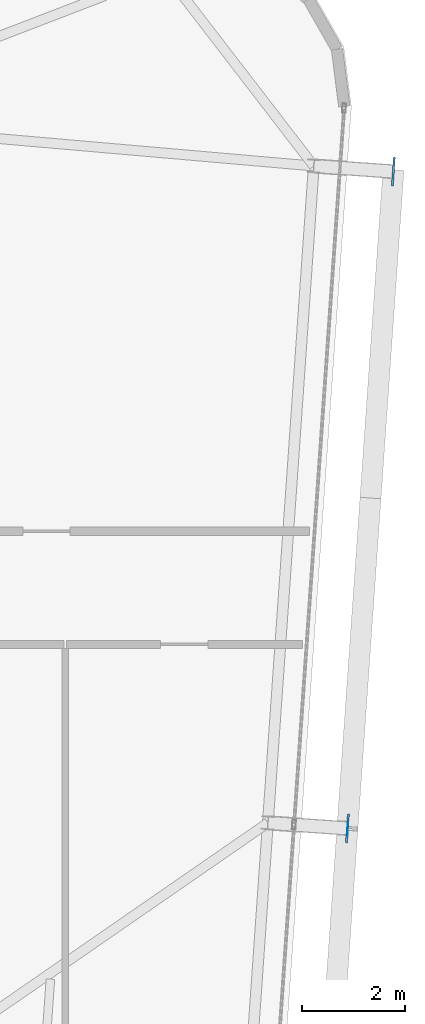
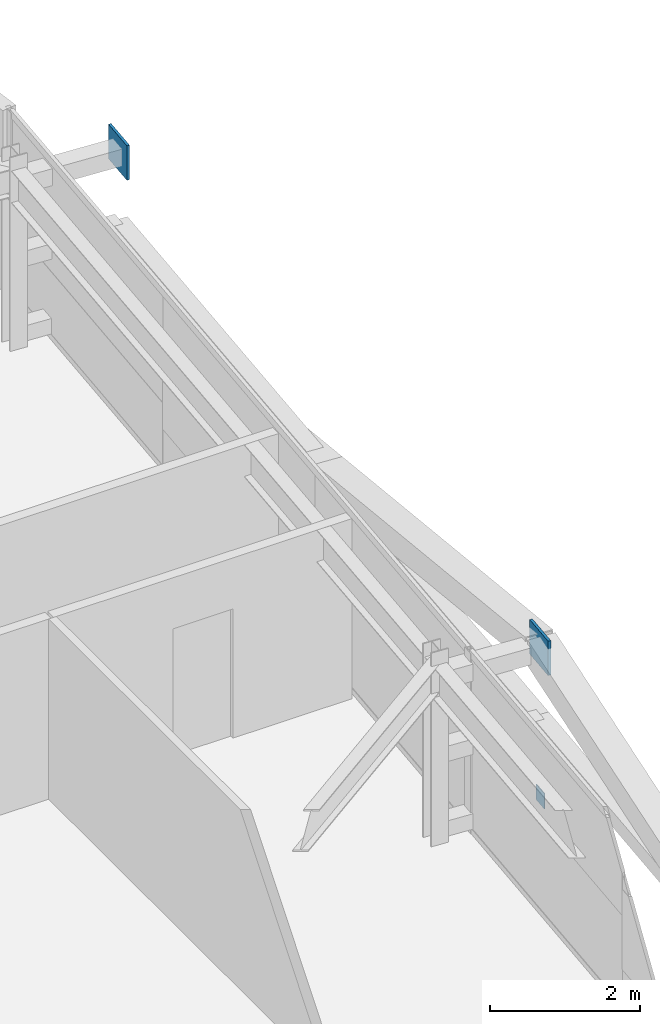
# One storey, part 31 of 39: 3 plates.
"""IFC4 building model written with IfcOpenShell, lengths in metres."""

from ifc_helpers import new_model, si_unit, direction, frame, origin, origin_2d, place, context, subcontext, project, spatial, rectangle, extrude, source, transform, mapped, material, layer, layer_set, type_object, element, save


model = new_model("IFC4")

# Units and contexts
model_context = context("Model", 3, precision=1e-05, world=origin(), true_north=direction((0.0, 1.0)))
body_context = subcontext(model_context, "Body", "Model", "MODEL_VIEW")
ifc_project = project(units=[si_unit("LENGTHUNIT", "METRE"), si_unit("AREAUNIT", "SQUARE_METRE"), si_unit("VOLUMEUNIT", "CUBIC_METRE"), si_unit("PLANEANGLEUNIT", "RADIAN"), si_unit("MASSUNIT", "GRAM", prefix="KILO")], contexts=[model_context])

# Site, building, storey
site_placement = place(None, origin())
site = spatial("IfcSite", under=ifc_project, at=site_placement, CompositionType="ELEMENT")
building_placement = place(site_placement, origin())
building = spatial("IfcBuilding", under=site, at=building_placement, Name="Taldren Reach Tower", CompositionType="ELEMENT")
storey_placement = place(building_placement, frame((0.0, 0.0, 151.89990234375)))
storey = spatial("IfcBuildingStorey", under=building, at=storey_placement, Name="L46", CompositionType="ELEMENT", Elevation=151.89990234375)

# Plates
ifc_material_1 = material(Name="Steel Gr 450 (C450L0)", Category="steel")
ifc_layer_1 = layer(ifc_material_1, 0.0400390625)
ifc_layer_set_1 = layer_set([ifc_layer_1], Name="Steel Gr 450 (C450L0)")
plate_type_1 = type_object("IfcPlateType", Name="PL-GUSSET-40", PredefinedType="SHEET", material=ifc_layer_set_1)
shared_shape_1 = source(origin(), body_context, "Body", "SweptSolid", [
    extrude(rectangle(XDim=0.56005859375, YDim=0.0400390625, at=origin_2d()), origin(), (0.0, 0.0, 1.0), 0.56005859375),
])
for number, where, z_axis, x_axis, name in (
    (1, (61.984375, 18.2236328125, 2.3701171875), (0.0, 0.0, 1.0), (0.069756473744, 0.99756405026, 0.0), "Exoskeleton star-node gusset plate B3-E2 L46"),
    (2, (62.87744140625, 30.992431640625, 2.3701171875), (0.0, 0.0, 1.0), (0.069756473744, 0.99756405026, 0.0), "Exoskeleton star-node gusset plate B3-E3 L46"),
):
    element("IfcPlate", number, at=place(storey_placement, frame(where, z_axis=z_axis, x_axis=x_axis)), inside=storey, type_object=plate_type_1, Name=name, PredefinedType="SHEET", context=body_context, shape_type="MappedRepresentation", body=[
        mapped(shared_shape_1, transform((0.0, 0.0, 0.0), scale=1.0)),
    ])
ifc_material_2 = material(Name="Steel Gr 350 (C350L0)", Category="steel")
ifc_layer_2 = layer(ifc_material_2, 0.011962890625)
ifc_layer_set_2 = layer_set([ifc_layer_2], Name="Steel Gr 350 (C350L0)")
plate_type_2 = type_object("IfcPlateType", Name="PL-CAP-250", PredefinedType="SHEET", material=ifc_layer_set_2)
shared_shape_2 = source(origin(), body_context, "Body", "SweptSolid", [
    extrude(rectangle(XDim=0.011962890625, YDim=0.25, at=origin_2d()), origin(), (0.0, 0.0, 1.0), 0.25),
])
plate_placement = place(storey_placement, frame((61.990478515625, 18.22314453125, 0.09521484375), z_axis=(0.0, 0.0, 1.0), x_axis=(0.99756405026, -0.069756473744, 0.0)))
element("IfcPlate", 3, at=plate_placement, inside=storey, type_object=plate_type_2, Name="Tie strut end cap plate B3-E2 L46", PredefinedType="SHEET", context=body_context, shape_type="MappedRepresentation", body=[
    mapped(shared_shape_2, transform((0.0, 0.0, 0.0), scale=1.0)),
])

save(model, "model.ifc")
